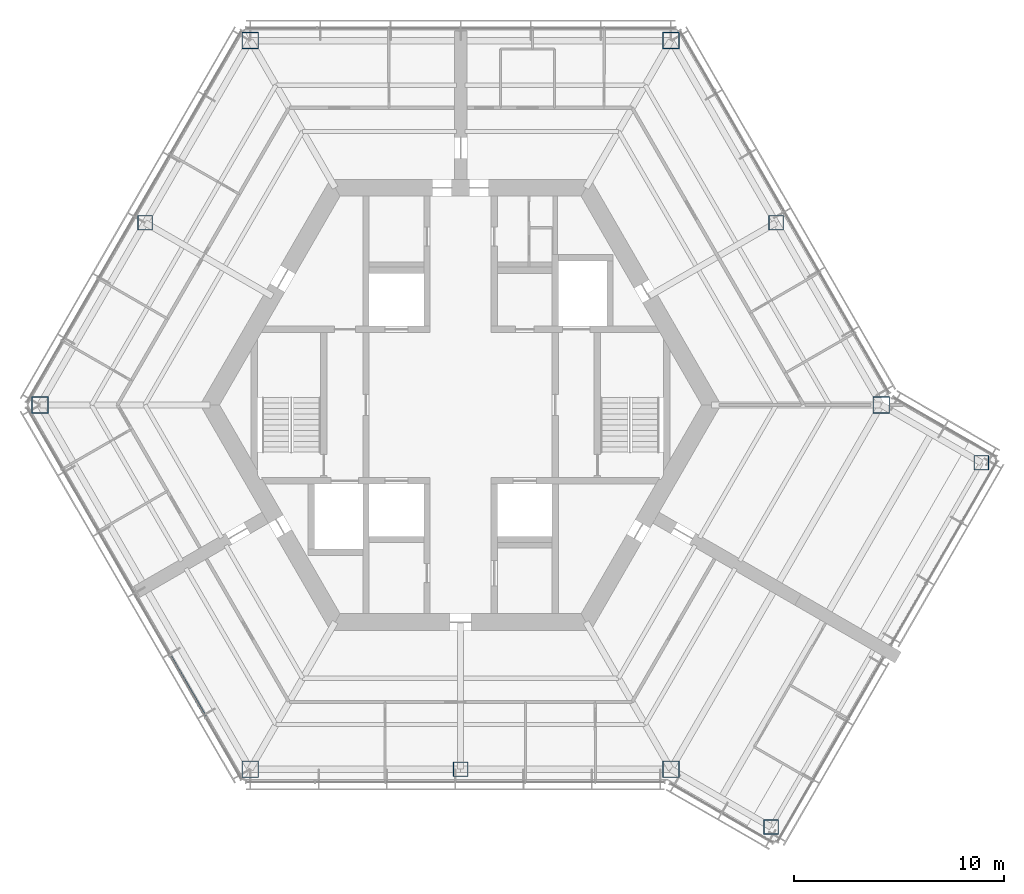
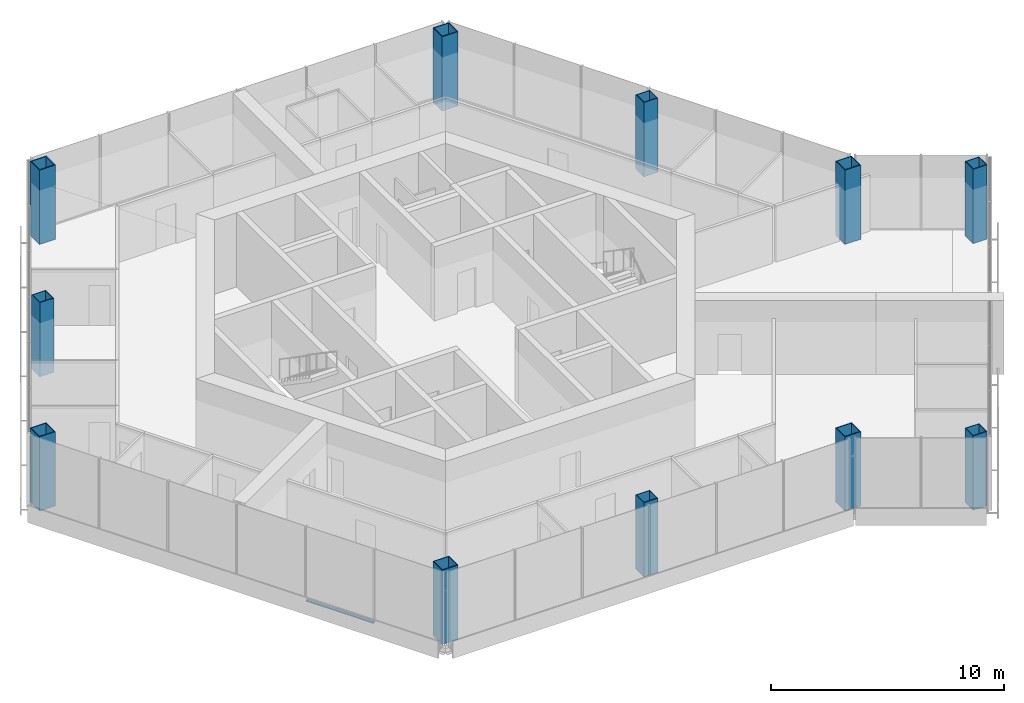
# One storey, part 1 of 13: 11 columns, 1 member, 1 element without a shape of its own.
"""IFC4 building model written with IfcOpenShell, lengths in metres."""

from ifc_helpers import new_model, si_unit, direction, frame, origin, origin_2d, place, context, subcontext, project, spatial, rectangle, hollow_rectangle, extrude, material, material_profile, profile_set, type_object, element, aggregate, save


model = new_model("IFC4")

# Units and contexts
model_context = context("Model", 3, precision=1e-05, world=origin(), true_north=direction((0.0, 1.0)))
body_context = subcontext(model_context, "Body", "Model", "MODEL_VIEW")
ifc_project = project(units=[si_unit("LENGTHUNIT", "METRE"), si_unit("AREAUNIT", "SQUARE_METRE"), si_unit("VOLUMEUNIT", "CUBIC_METRE"), si_unit("PLANEANGLEUNIT", "RADIAN"), si_unit("MASSUNIT", "GRAM", prefix="KILO")], contexts=[model_context])

# Site, building, storey
site_placement = place(None, origin())
site = spatial("IfcSite", under=ifc_project, at=site_placement, CompositionType="ELEMENT")
building_placement = place(site_placement, origin())
building = spatial("IfcBuilding", under=site, at=building_placement, Name="Kasaneha Research Tower", CompositionType="ELEMENT")
storey_placement = place(building_placement, frame((0.0, 0.0, 283.0)))
storey = spatial("IfcBuildingStorey", under=building, at=storey_placement, Name="L71", CompositionType="ELEMENT", Elevation=283.0)

# Columns
ifc_material_1 = material(Name="Steel SN490C", Category="steel")
ifc_material_profile_1 = material_profile(ifc_material_1, hollow_rectangle(XDim=0.800048828125, YDim=0.800048828125, WallThickness=0.0400390625, at=origin_2d()), Name="BOX-800x800x40")
ifc_profile_set_1 = profile_set([ifc_material_profile_1], Name="Steel SN490C")
column_type_1 = type_object("IfcColumnType", Name="C4A column BOX-800x800x40", PredefinedType="COLUMN", material=ifc_profile_set_1)
for number, where, z_axis, x_axis, name in (
    (1, (20.0, 0.0, 0.0), (0.0, 0.0, 1.0), (1.0, 0.0, 0.0), "Column V0 L71"),
    (2, (10.0, 17.320556640625, 0.0), (0.0, 0.0, 1.0), (1.0, 0.0, 0.0), "Column V1 L71"),
    (3, (-10.0, 17.320556640625, 0.0), (0.0, 0.0, 1.0), (1.0, 0.0, 0.0), "Column V2 L71"),
    (4, (-20.0, 0.0, 0.0), (0.0, 0.0, 1.0), (1.0, 0.0, 0.0), "Column V3 L71"),
    (5, (-10.0, -17.320556640625, 0.0), (0.0, 0.0, 1.0), (1.0, 0.0, 0.0), "Column V4 L71"),
    (6, (10.0, -17.320556640625, 0.0), (0.0, 0.0, 1.0), (1.0, 0.0, 0.0), "Column V5 L71"),
):
    element("IfcColumn", number, at=place(storey_placement, frame(where, z_axis=z_axis, x_axis=x_axis)), inside=storey, type_object=column_type_1, Name=name, PredefinedType="COLUMN", context=body_context, shape_type="SweptSolid", body=[
        extrude(hollow_rectangle(XDim=0.800048828125, YDim=0.800048828125, WallThickness=0.0400390625, at=origin_2d()), origin(), (0.0, 0.0, 1.0), 3.89990234375),
    ])
ifc_material_2 = material(Name="Steel SN490C", Category="steel")
ifc_material_profile_2 = material_profile(ifc_material_2, hollow_rectangle(XDim=0.699951171875, YDim=0.699951171875, WallThickness=0.031982421875, at=origin_2d()), Name="BOX-700x700x32")
ifc_profile_set_2 = profile_set([ifc_material_profile_2], Name="Steel SN490C")
column_type_2 = type_object("IfcColumnType", Name="C4B column BOX-700x700x32", PredefinedType="COLUMN", material=ifc_profile_set_2)
for number, where, z_axis, x_axis, name in (
    (7, (15.0, 8.66015625, 0.0), (0.0, 0.0, 1.0), (1.0, 0.0, 0.0), "Column M030 L71"),
    (8, (-15.0, 8.66015625, 0.0), (0.0, 0.0, 1.0), (1.0, 0.0, 0.0), "Column M150 L71"),
    (9, (0.0, -17.320556640625, 0.0), (0.0, 0.0, 1.0), (1.0, 0.0, 0.0), "Column M270 L71"),
    (10, (14.76318359375, -20.070556640625, 0.0), (0.0, 0.0, 1.0), (1.0, 0.0, 0.0), "Column CSP L71"),
    (11, (24.76318359375, -2.75, 0.0), (0.0, 0.0, 1.0), (1.0, 0.0, 0.0), "Column CSN L71"),
):
    element("IfcColumn", number, at=place(storey_placement, frame(where, z_axis=z_axis, x_axis=x_axis)), inside=storey, type_object=column_type_2, Name=name, PredefinedType="COLUMN", context=body_context, shape_type="SweptSolid", body=[
        extrude(hollow_rectangle(XDim=0.699951171875, YDim=0.699951171875, WallThickness=0.031982421875, at=origin_2d()), origin(), (0.0, 0.0, 1.0), 3.89990234375),
    ])

# Curtain wall, member
ifc_material_3 = material(Name="Glass and aluminium", Category="aluminium")
curtain_wall_type = type_object("IfcCurtainWallType", Name="Crown curtain wall", PredefinedType="USERDEFINED", material=ifc_material_3)
curtain_wall_placement = place(storey_placement, origin())
curtain_wall = element("IfcCurtainWall", 12, at=curtain_wall_placement, inside=storey, type_object=curtain_wall_type, Name="CW-C L71 run 04a", ObjectType="UNITISED CURTAIN WALL", PredefinedType="USERDEFINED")
ifc_material_4 = material(Name="Aluminium 6063-T6", Category="aluminium")
ifc_material_profile_3 = material_profile(ifc_material_4, rectangle(XDim=0.1298828125, YDim=0.06005859375, at=origin_2d()), Name="CW-C transom 130x60")
ifc_profile_set_3 = profile_set([ifc_material_profile_3], Name="Aluminium 6063-T6")
member_type = type_object("IfcMemberType", Name="CW-C transom", PredefinedType="USERDEFINED", material=ifc_profile_set_3)
member_placement = place(storey_placement, frame((-13.796875, -11.944091796875, 0.030029296875), z_axis=(0.499989072476, -0.866031712701, 0.0), x_axis=(0.866031712701, 0.499989072476, 0.0)))
member = element("IfcMember", 13, at=member_placement, type_object=member_type, Name="CW-C transom 5", ObjectType="TRANSOM", PredefinedType="USERDEFINED", context=body_context, shape_type="SweptSolid", body=[
    extrude(rectangle(XDim=0.1298828125, YDim=0.06005859375, at=origin_2d()), origin(), (0.0, 0.0, 1.0), 3.35546875),
])
aggregate(curtain_wall, [member])

save(model, "model.ifc")
